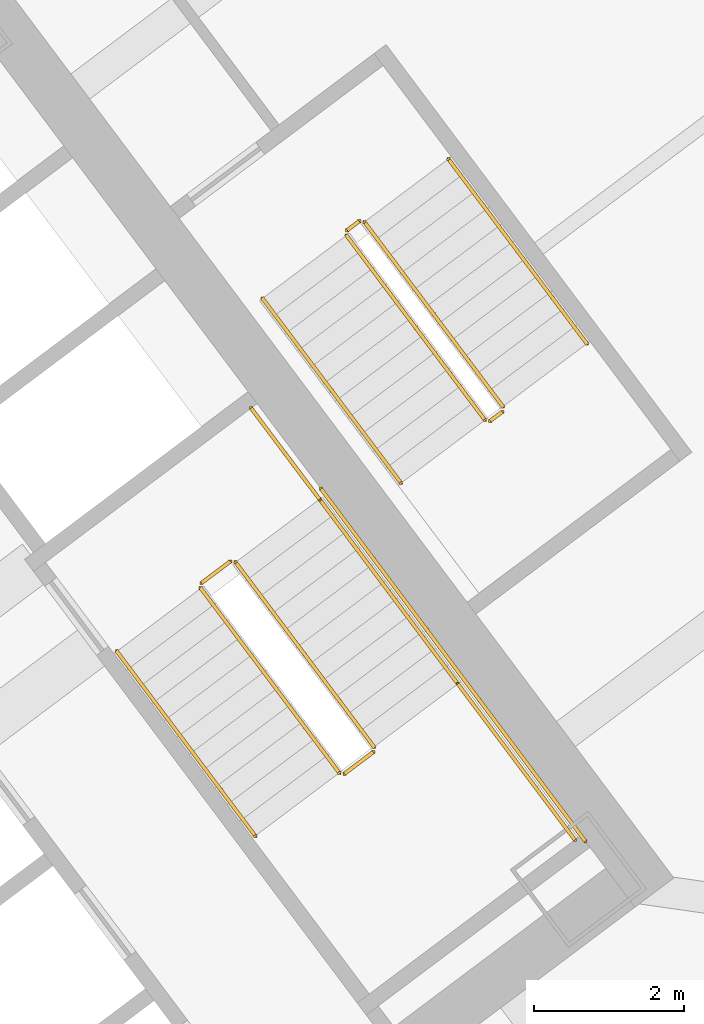
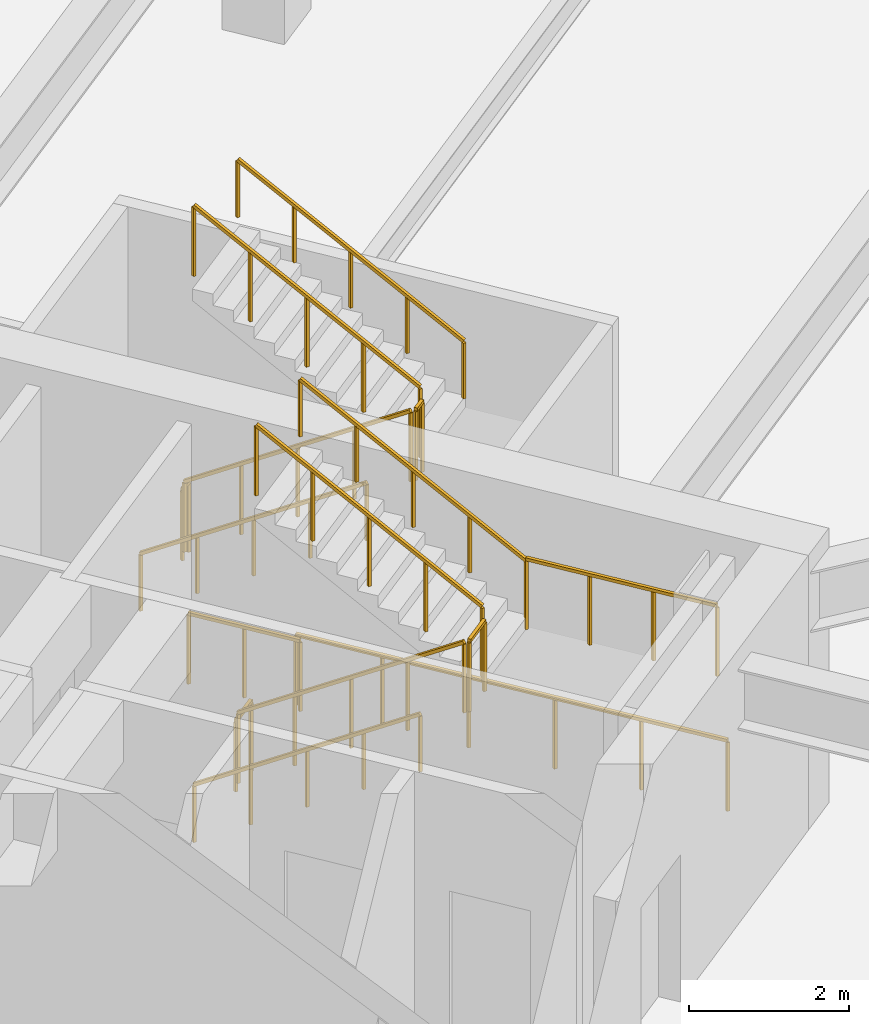
# One storey, part 19 of 20: 15 railings.
"""IFC4 building model written with IfcOpenShell, lengths in metres."""

from ifc_helpers import new_model, si_unit, direction, frame, origin, origin_2d, place, context, subcontext, project, spatial, rectangle, extrude, material, type_object, element, save


model = new_model("IFC4")

# Units and contexts
model_context = context("Model", 3, precision=1e-05, world=origin(), true_north=direction((0.0, 1.0)))
body_context = subcontext(model_context, "Body", "Model", "MODEL_VIEW")
ifc_project = project(units=[si_unit("LENGTHUNIT", "METRE"), si_unit("AREAUNIT", "SQUARE_METRE"), si_unit("VOLUMEUNIT", "CUBIC_METRE"), si_unit("PLANEANGLEUNIT", "RADIAN"), si_unit("MASSUNIT", "GRAM", prefix="KILO")], contexts=[model_context])

# Site, building, storey
site_placement = place(None, origin())
site = spatial("IfcSite", under=ifc_project, at=site_placement, CompositionType="ELEMENT")
building_placement = place(site_placement, origin())
building = spatial("IfcBuilding", under=site, at=building_placement, Name="Tashvorn Skyway Center", CompositionType="ELEMENT")
storey_placement = place(building_placement, frame((0.0, 0.0, 15.60009765625)))
storey = spatial("IfcBuildingStorey", under=building, at=storey_placement, Name="L03", CompositionType="ELEMENT", Elevation=15.60009765625)

# Railings
ifc_material_1 = material(Name="Brushed stainless steel 316", Category="steel")
railing_type_1 = type_object("IfcRailingType", Name="RAIL-HAND-920", PredefinedType="HANDRAIL", material=ifc_material_1)
railing_1_placement = place(storey_placement, frame((117.7119140625, 33.634033203125, 0.1748046875)))
element("IfcRailing", 1, at=railing_1_placement, inside=storey, type_object=railing_type_1, Name="L03 ST-T2-2 stair handrail 1", PredefinedType="HANDRAIL", context=body_context, shape_type="SweptSolid", body=[
    extrude(rectangle(XDim=0.048095703125, YDim=0.048095703125, at=origin_2d()), frame((0.0, 0.0, 0.8759765625), z_axis=(0.508814267955, -0.678396619085, 0.529986856384), x_axis=(0.79999048847, 0.600012681831, 0.0)), (0.0, 0.0, 1.0), 3.63232421875),
    extrude(rectangle(XDim=0.0419921875, YDim=0.0419921875, at=origin_2d()), origin(), (0.0, 0.0, 1.0), 0.851806640625),
    extrude(rectangle(XDim=0.0419921875, YDim=0.0419921875, at=origin_2d()), frame((0.4619140625, -0.615966796875, 0.481201171875)), (0.0, 0.0, 1.0), 0.851806640625),
    extrude(rectangle(XDim=0.0419921875, YDim=0.0419921875, at=origin_2d()), frame((0.924072265625, -1.23193359375, 0.96240234375)), (0.0, 0.0, 1.0), 0.851806640625),
    extrude(rectangle(XDim=0.0419921875, YDim=0.0419921875, at=origin_2d()), frame((1.38623046875, -1.84814453125, 1.44384765625)), (0.0, 0.0, 1.0), 0.851806640625),
    extrude(rectangle(XDim=0.0419921875, YDim=0.0419921875, at=origin_2d()), frame((1.84814453125, -2.464111328125, 1.925048828125)), (0.0, 0.0, 1.0), 0.851806640625),
])
railing_2_placement = place(storey_placement, frame((122.263916015625, 33.197998046875, 2.27490234375)))
element("IfcRailing", 2, at=railing_2_placement, inside=storey, type_object=railing_type_1, Name="L03 ST-T2-2 stair handrail 2", PredefinedType="HANDRAIL", context=body_context, shape_type="SweptSolid", body=[
    extrude(rectangle(XDim=0.048095703125, YDim=0.048095703125, at=origin_2d()), frame((0.0, 0.0, 0.8759765625), z_axis=(-0.508764452144, 0.678419819724, 0.530004981524), x_axis=(-0.800028534741, -0.599961951794, 0.0)), (0.0, 0.0, 1.0), 3.632080078125),
    extrude(rectangle(XDim=0.0419921875, YDim=0.0419921875, at=origin_2d()), origin(), (0.0, 0.0, 1.0), 0.851806640625),
    extrude(rectangle(XDim=0.0419921875, YDim=0.0419921875, at=origin_2d()), frame((-0.4619140625, 0.615966796875, 0.481201171875)), (0.0, 0.0, 1.0), 0.851806640625),
    extrude(rectangle(XDim=0.0419921875, YDim=0.0419921875, at=origin_2d()), frame((-0.923828125, 1.23193359375, 0.96240234375)), (0.0, 0.0, 1.0), 0.851806640625),
    extrude(rectangle(XDim=0.0419921875, YDim=0.0419921875, at=origin_2d()), frame((-1.385986328125, 1.84814453125, 1.44384765625)), (0.0, 0.0, 1.0), 0.851806640625),
    extrude(rectangle(XDim=0.0419921875, YDim=0.0419921875, at=origin_2d()), frame((-1.847900390625, 2.464111328125, 1.925048828125)), (0.0, 0.0, 1.0), 0.851806640625),
])
railing_3_placement = place(storey_placement, frame((119.656005859375, 38.342041015625, 0.1748046875)))
element("IfcRailing", 3, at=railing_3_placement, inside=storey, type_object=railing_type_1, Name="L03 ST-T2-3 stair handrail 1", PredefinedType="HANDRAIL", context=body_context, shape_type="SweptSolid", body=[
    extrude(rectangle(XDim=0.048095703125, YDim=0.048095703125, at=origin_2d()), frame((0.0, 0.0, 0.8759765625), z_axis=(0.508764452144, -0.678419819724, 0.530004981524), x_axis=(0.800028534741, 0.599961951794, 0.0)), (0.0, 0.0, 1.0), 3.632080078125),
    extrude(rectangle(XDim=0.0419921875, YDim=0.0419921875, at=origin_2d()), origin(), (0.0, 0.0, 1.0), 0.851806640625),
    extrude(rectangle(XDim=0.0419921875, YDim=0.0419921875, at=origin_2d()), frame((0.4619140625, -0.615966796875, 0.481201171875)), (0.0, 0.0, 1.0), 0.851806640625),
    extrude(rectangle(XDim=0.0419921875, YDim=0.0419921875, at=origin_2d()), frame((0.923828125, -1.23193359375, 0.96240234375)), (0.0, 0.0, 1.0), 0.851806640625),
    extrude(rectangle(XDim=0.0419921875, YDim=0.0419921875, at=origin_2d()), frame((1.385986328125, -1.84814453125, 1.44384765625)), (0.0, 0.0, 1.0), 0.851806640625),
    extrude(rectangle(XDim=0.0419921875, YDim=0.0419921875, at=origin_2d()), frame((1.847900390625, -2.464111328125, 1.925048828125)), (0.0, 0.0, 1.0), 0.851806640625),
])
railing_4_placement = place(storey_placement, frame((123.98388671875, 37.738037109375, 2.27490234375)))
element("IfcRailing", 4, at=railing_4_placement, inside=storey, type_object=railing_type_1, Name="L03 ST-T2-3 stair handrail 2", PredefinedType="HANDRAIL", context=body_context, shape_type="SweptSolid", body=[
    extrude(rectangle(XDim=0.048095703125, YDim=0.048095703125, at=origin_2d()), frame((0.0, 0.0, 0.8759765625), z_axis=(-0.508787652878, 0.678383537171, 0.530029150871), x_axis=(-0.8, -0.6, 0.0)), (0.0, 0.0, 1.0), 3.632080078125),
    extrude(rectangle(XDim=0.0419921875, YDim=0.0419921875, at=origin_2d()), origin(), (0.0, 0.0, 1.0), 0.851806640625),
    extrude(rectangle(XDim=0.0419921875, YDim=0.0419921875, at=origin_2d()), frame((-0.4619140625, 0.615966796875, 0.481201171875)), (0.0, 0.0, 1.0), 0.851806640625),
    extrude(rectangle(XDim=0.0419921875, YDim=0.0419921875, at=origin_2d()), frame((-0.923828125, 1.23193359375, 0.96240234375)), (0.0, 0.0, 1.0), 0.851806640625),
    extrude(rectangle(XDim=0.0419921875, YDim=0.0419921875, at=origin_2d()), frame((-1.385986328125, 1.847900390625, 1.44384765625)), (0.0, 0.0, 1.0), 0.851806640625),
    extrude(rectangle(XDim=0.0419921875, YDim=0.0419921875, at=origin_2d()), frame((-1.847900390625, 2.4638671875, 1.925048828125)), (0.0, 0.0, 1.0), 0.851806640625),
])
ifc_material_2 = material(Name="Painted galvanized steel S355", Category="steel")
railing_type_2 = type_object("IfcRailingType", Name="RAIL-STGUARD-1100", PredefinedType="GUARDRAIL", material=ifc_material_2)
railing_5_placement = place(storey_placement, frame((118.83203125, 34.47412109375, 0.1748046875)))
element("IfcRailing", 5, at=railing_5_placement, inside=storey, type_object=railing_type_2, Name="L03 ST-T2-2 stair guard 1", PredefinedType="GUARDRAIL", context=body_context, shape_type="SweptSolid", body=[
    extrude(rectangle(XDim=0.048095703125, YDim=0.048095703125, at=origin_2d()), frame((0.0, 0.0, 1.076171875), z_axis=(0.508764452144, -0.678419819724, 0.530004981524), x_axis=(0.800028534741, 0.599961951794, 0.0)), (0.0, 0.0, 1.0), 3.632080078125),
    extrude(rectangle(XDim=0.0419921875, YDim=0.0419921875, at=origin_2d()), origin(), (0.0, 0.0, 1.0), 1.052001953125),
    extrude(rectangle(XDim=0.0419921875, YDim=0.0419921875, at=origin_2d()), frame((0.4619140625, -0.615966796875, 0.481201171875)), (0.0, 0.0, 1.0), 1.052001953125),
    extrude(rectangle(XDim=0.0419921875, YDim=0.0419921875, at=origin_2d()), frame((0.923828125, -1.23193359375, 0.96240234375)), (0.0, 0.0, 1.0), 1.052001953125),
    extrude(rectangle(XDim=0.0419921875, YDim=0.0419921875, at=origin_2d()), frame((1.385986328125, -1.84814453125, 1.44384765625)), (0.0, 0.0, 1.0), 1.052001953125),
    extrude(rectangle(XDim=0.0419921875, YDim=0.0419921875, at=origin_2d()), frame((1.847900390625, -2.464111328125, 1.925048828125)), (0.0, 0.0, 1.0), 1.052001953125),
])
railing_6_placement = place(storey_placement, frame((120.75, 32.0, 2.099853515625)))
element("IfcRailing", 6, at=railing_6_placement, inside=storey, type_object=railing_type_2, Name="L03 ST-T2-2 stair guard 2", PredefinedType="GUARDRAIL", context=body_context, shape_type="SweptSolid", body=[
    extrude(rectangle(XDim=0.048095703125, YDim=0.048095703125, at=origin_2d()), frame((0.0, 0.0, 1.076171875), z_axis=(0.799938970639, 0.600081363861, 0.0), x_axis=(-0.600081363861, 0.799938970639, 0.0)), (0.0, 0.0, 1.0), 0.47998046875),
    extrude(rectangle(XDim=0.0419921875, YDim=0.0419921875, at=origin_2d()), origin(), (0.0, 0.0, 1.0), 1.052001953125),
    extrude(rectangle(XDim=0.0419921875, YDim=0.0419921875, at=origin_2d()), frame((0.384033203125, 0.2880859375, 0.0)), (0.0, 0.0, 1.0), 1.052001953125),
])
railing_7_placement = place(storey_placement, frame((122.263916015625, 33.197998046875, 2.099853515625)))
element("IfcRailing", 7, at=railing_7_placement, inside=storey, type_object=railing_type_2, Name="L03 ST-T2-2 stair guard 3", PredefinedType="GUARDRAIL", context=body_context, shape_type="SweptSolid", body=[
    extrude(rectangle(XDim=0.048095703125, YDim=0.048095703125, at=origin_2d()), frame((0.0, 0.0, 1.076171875), z_axis=(0.6, -0.8, 0.0), x_axis=(0.8, 0.6, 0.0)), (0.0, 0.0, 1.0), 2.60009765625),
    extrude(rectangle(XDim=0.0419921875, YDim=0.0419921875, at=origin_2d()), origin(), (0.0, 0.0, 1.0), 1.052001953125),
    extrude(rectangle(XDim=0.0419921875, YDim=0.0419921875, at=origin_2d()), frame((0.52001953125, -0.693359375, 0.0)), (0.0, 0.0, 1.0), 1.052001953125),
    extrude(rectangle(XDim=0.0419921875, YDim=0.0419921875, at=origin_2d()), frame((1.0400390625, -1.38671875, 0.0)), (0.0, 0.0, 1.0), 1.052001953125),
    extrude(rectangle(XDim=0.0419921875, YDim=0.0419921875, at=origin_2d()), frame((1.56005859375, -2.080078125, 0.0)), (0.0, 0.0, 1.0), 1.052001953125),
])
railing_8_placement = place(storey_placement, frame((121.14404296875, 32.35791015625, 2.27490234375)))
element("IfcRailing", 8, at=railing_8_placement, inside=storey, type_object=railing_type_2, Name="L03 ST-T2-2 stair guard 4", PredefinedType="GUARDRAIL", context=body_context, shape_type="SweptSolid", body=[
    extrude(rectangle(XDim=0.048095703125, YDim=0.048095703125, at=origin_2d()), frame((0.0, 0.0, 1.076171875), z_axis=(-0.508814267955, 0.678396619085, 0.529986856384), x_axis=(-0.79999048847, -0.600012681831, 0.0)), (0.0, 0.0, 1.0), 3.63232421875),
    extrude(rectangle(XDim=0.0419921875, YDim=0.0419921875, at=origin_2d()), origin(), (0.0, 0.0, 1.0), 1.052001953125),
    extrude(rectangle(XDim=0.0419921875, YDim=0.0419921875, at=origin_2d()), frame((-0.4619140625, 0.615966796875, 0.481201171875)), (0.0, 0.0, 1.0), 1.052001953125),
    extrude(rectangle(XDim=0.0419921875, YDim=0.0419921875, at=origin_2d()), frame((-0.924072265625, 1.23193359375, 0.96240234375)), (0.0, 0.0, 1.0), 1.052001953125),
    extrude(rectangle(XDim=0.0419921875, YDim=0.0419921875, at=origin_2d()), frame((-1.38623046875, 1.84814453125, 1.44384765625)), (0.0, 0.0, 1.0), 1.052001953125),
    extrude(rectangle(XDim=0.0419921875, YDim=0.0419921875, at=origin_2d()), frame((-1.84814453125, 2.464111328125, 1.925048828125)), (0.0, 0.0, 1.0), 1.052001953125),
])
railing_9_placement = place(storey_placement, frame((118.842041015625, 34.5439453125, 0.0)))
element("IfcRailing", 9, at=railing_9_placement, inside=storey, type_object=railing_type_2, Name="L03 ST-T2-2 stair guard 5", PredefinedType="GUARDRAIL", context=body_context, shape_type="SweptSolid", body=[
    extrude(rectangle(XDim=0.048095703125, YDim=0.048095703125, at=origin_2d()), frame((0.0, 0.0, 1.076171875), z_axis=(0.799938970639, 0.600081363861, 0.0), x_axis=(-0.600081363861, 0.799938970639, 0.0)), (0.0, 0.0, 1.0), 0.47998046875),
    extrude(rectangle(XDim=0.0419921875, YDim=0.0419921875, at=origin_2d()), origin(), (0.0, 0.0, 1.0), 1.052001953125),
    extrude(rectangle(XDim=0.0419921875, YDim=0.0419921875, at=origin_2d()), frame((0.384033203125, 0.2880859375, 0.0)), (0.0, 0.0, 1.0), 1.052001953125),
])
railing_10_placement = place(storey_placement, frame((119.50390625, 36.8779296875, 0.0)))
element("IfcRailing", 10, at=railing_10_placement, inside=storey, type_object=railing_type_2, Name="L03 ST-T2-2 stair guard 6", PredefinedType="GUARDRAIL", context=body_context, shape_type="SweptSolid", body=[
    extrude(rectangle(XDim=0.048095703125, YDim=0.048095703125, at=origin_2d()), frame((0.0, 0.0, 1.076171875), z_axis=(0.600102796382, -0.799922892393, 0.0), x_axis=(0.799922892393, 0.600102796382, 0.0)), (0.0, 0.0, 1.0), 1.52001953125),
    extrude(rectangle(XDim=0.0419921875, YDim=0.0419921875, at=origin_2d()), origin(), (0.0, 0.0, 1.0), 1.052001953125),
    extrude(rectangle(XDim=0.0419921875, YDim=0.0419921875, at=origin_2d()), frame((0.4560546875, -0.60791015625, 0.0)), (0.0, 0.0, 1.0), 1.052001953125),
    extrude(rectangle(XDim=0.0419921875, YDim=0.0419921875, at=origin_2d()), frame((0.912109375, -1.2158203125, 0.0)), (0.0, 0.0, 1.0), 1.052001953125),
])
railing_11_placement = place(storey_placement, frame((120.43603515625, 35.802001953125, 0.0)))
element("IfcRailing", 11, at=railing_11_placement, inside=storey, type_object=railing_type_2, Name="L03 ST-T2-2 stair guard 7", PredefinedType="GUARDRAIL", context=body_context, shape_type="SweptSolid", body=[
    extrude(rectangle(XDim=0.048095703125, YDim=0.048095703125, at=origin_2d()), frame((0.0, 0.0, 1.076171875), z_axis=(0.6, -0.8, 0.0), x_axis=(0.8, 0.6, 0.0)), (0.0, 0.0, 1.0), 5.880126953125),
    extrude(rectangle(XDim=0.0419921875, YDim=0.0419921875, at=origin_2d()), origin(), (0.0, 0.0, 1.0), 1.052001953125),
    extrude(rectangle(XDim=0.0419921875, YDim=0.0419921875, at=origin_2d()), frame((0.70556640625, -0.94091796875, 0.0)), (0.0, 0.0, 1.0), 1.052001953125),
    extrude(rectangle(XDim=0.0419921875, YDim=0.0419921875, at=origin_2d()), frame((1.4111328125, -1.881591796875, 0.0)), (0.0, 0.0, 1.0), 1.052001953125),
    extrude(rectangle(XDim=0.0419921875, YDim=0.0419921875, at=origin_2d()), frame((2.116943359375, -2.822509765625, 0.0)), (0.0, 0.0, 1.0), 1.052001953125),
    extrude(rectangle(XDim=0.0419921875, YDim=0.0419921875, at=origin_2d()), frame((2.822509765625, -3.76318359375, 0.0)), (0.0, 0.0, 1.0), 1.052001953125),
    extrude(rectangle(XDim=0.0419921875, YDim=0.0419921875, at=origin_2d()), frame((3.528076171875, -4.7041015625, 0.0)), (0.0, 0.0, 1.0), 1.052001953125),
])
railing_12_placement = place(storey_placement, frame((120.77587890625, 39.181884765625, 0.1748046875)))
element("IfcRailing", 12, at=railing_12_placement, inside=storey, type_object=railing_type_2, Name="L03 ST-T2-3 stair guard 1", PredefinedType="GUARDRAIL", context=body_context, shape_type="SweptSolid", body=[
    extrude(rectangle(XDim=0.048095703125, YDim=0.048095703125, at=origin_2d()), frame((0.0, 0.0, 1.076171875), z_axis=(0.508837469374, -0.678360335657, 0.530011023252), x_axis=(0.799961950261, 0.600050729635, 0.0)), (0.0, 0.0, 1.0), 3.632080078125),
    extrude(rectangle(XDim=0.0419921875, YDim=0.0419921875, at=origin_2d()), origin(), (0.0, 0.0, 1.0), 1.052001953125),
    extrude(rectangle(XDim=0.0419921875, YDim=0.0419921875, at=origin_2d()), frame((0.4619140625, -0.615966796875, 0.481201171875)), (0.0, 0.0, 1.0), 1.052001953125),
    extrude(rectangle(XDim=0.0419921875, YDim=0.0419921875, at=origin_2d()), frame((0.924072265625, -1.23193359375, 0.96240234375)), (0.0, 0.0, 1.0), 1.052001953125),
    extrude(rectangle(XDim=0.0419921875, YDim=0.0419921875, at=origin_2d()), frame((1.38623046875, -1.847900390625, 1.44384765625)), (0.0, 0.0, 1.0), 1.052001953125),
    extrude(rectangle(XDim=0.0419921875, YDim=0.0419921875, at=origin_2d()), frame((1.84814453125, -2.4638671875, 1.925048828125)), (0.0, 0.0, 1.0), 1.052001953125),
])
railing_13_placement = place(storey_placement, frame((122.694091796875, 36.7080078125, 2.099853515625)))
element("IfcRailing", 13, at=railing_13_placement, inside=storey, type_object=railing_type_2, Name="L03 ST-T2-3 stair guard 2", PredefinedType="GUARDRAIL", context=body_context, shape_type="SweptSolid", body=[
    extrude(rectangle(XDim=0.048095703125, YDim=0.048095703125, at=origin_2d()), frame((0.0, 0.0, 1.076171875), z_axis=(0.800146567861, 0.599804526442, 0.0), x_axis=(-0.599804526442, 0.800146567861, 0.0)), (0.0, 0.0, 1.0), 0.199951171875),
    extrude(rectangle(XDim=0.0419921875, YDim=0.0419921875, at=origin_2d()), origin(), (0.0, 0.0, 1.0), 1.052001953125),
    extrude(rectangle(XDim=0.0419921875, YDim=0.0419921875, at=origin_2d()), frame((0.159912109375, 0.119873046875, 0.0)), (0.0, 0.0, 1.0), 1.052001953125),
])
railing_14_placement = place(storey_placement, frame((122.864013671875, 36.89794921875, 2.27490234375)))
element("IfcRailing", 14, at=railing_14_placement, inside=storey, type_object=railing_type_2, Name="L03 ST-T2-3 stair guard 3", PredefinedType="GUARDRAIL", context=body_context, shape_type="SweptSolid", body=[
    extrude(rectangle(XDim=0.048095703125, YDim=0.048095703125, at=origin_2d()), frame((0.0, 0.0, 1.076171875), z_axis=(-0.508764452144, 0.678419819724, 0.530004981524), x_axis=(-0.800028534741, -0.599961951794, 0.0)), (0.0, 0.0, 1.0), 3.632080078125),
    extrude(rectangle(XDim=0.0419921875, YDim=0.0419921875, at=origin_2d()), origin(), (0.0, 0.0, 1.0), 1.052001953125),
    extrude(rectangle(XDim=0.0419921875, YDim=0.0419921875, at=origin_2d()), frame((-0.4619140625, 0.615966796875, 0.481201171875)), (0.0, 0.0, 1.0), 1.052001953125),
    extrude(rectangle(XDim=0.0419921875, YDim=0.0419921875, at=origin_2d()), frame((-0.923828125, 1.23193359375, 0.96240234375)), (0.0, 0.0, 1.0), 1.052001953125),
    extrude(rectangle(XDim=0.0419921875, YDim=0.0419921875, at=origin_2d()), frame((-1.385986328125, 1.84814453125, 1.44384765625)), (0.0, 0.0, 1.0), 1.052001953125),
    extrude(rectangle(XDim=0.0419921875, YDim=0.0419921875, at=origin_2d()), frame((-1.847900390625, 2.464111328125, 1.925048828125)), (0.0, 0.0, 1.0), 1.052001953125),
])
railing_15_placement = place(storey_placement, frame((120.785888671875, 39.251953125, 0.0)))
element("IfcRailing", 15, at=railing_15_placement, inside=storey, type_object=railing_type_2, Name="L03 ST-T2-3 stair guard 4", PredefinedType="GUARDRAIL", context=body_context, shape_type="SweptSolid", body=[
    extrude(rectangle(XDim=0.048095703125, YDim=0.048095703125, at=origin_2d()), frame((0.0, 0.0, 1.076171875), z_axis=(0.8, 0.6, 0.0), x_axis=(-0.6, 0.8, 0.0)), (0.0, 0.0, 1.0), 0.2001953125),
    extrude(rectangle(XDim=0.0419921875, YDim=0.0419921875, at=origin_2d()), origin(), (0.0, 0.0, 1.0), 1.052001953125),
    extrude(rectangle(XDim=0.0419921875, YDim=0.0419921875, at=origin_2d()), frame((0.16015625, 0.1201171875, 0.0)), (0.0, 0.0, 1.0), 1.052001953125),
])

save(model, "model.ifc")
